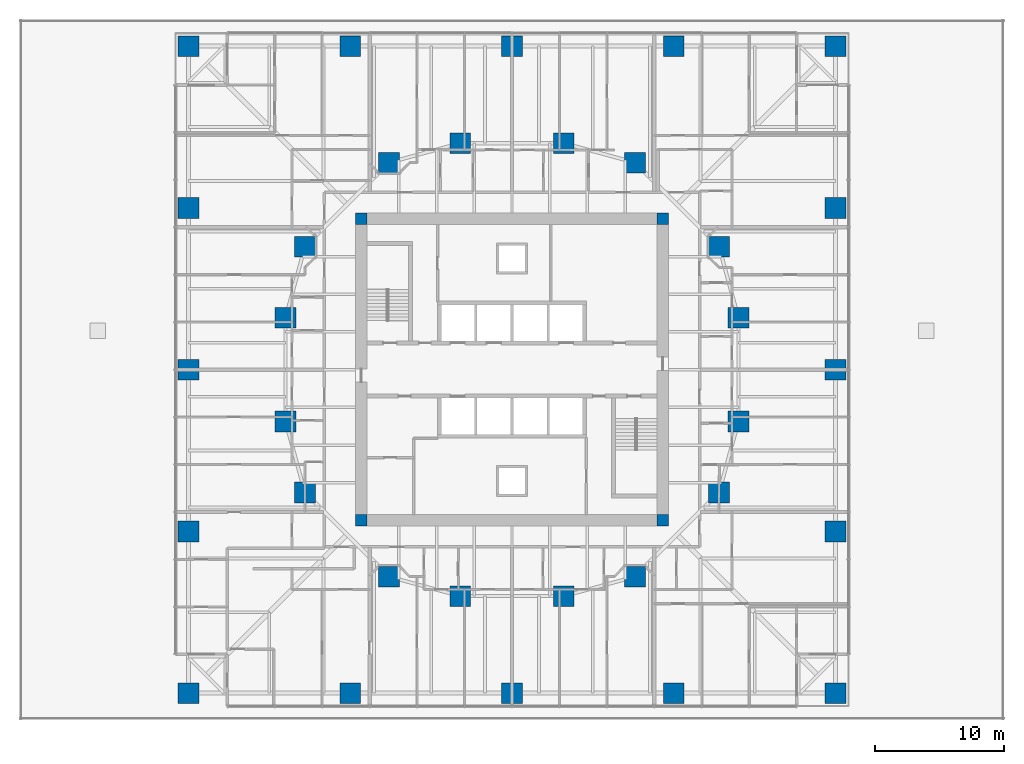
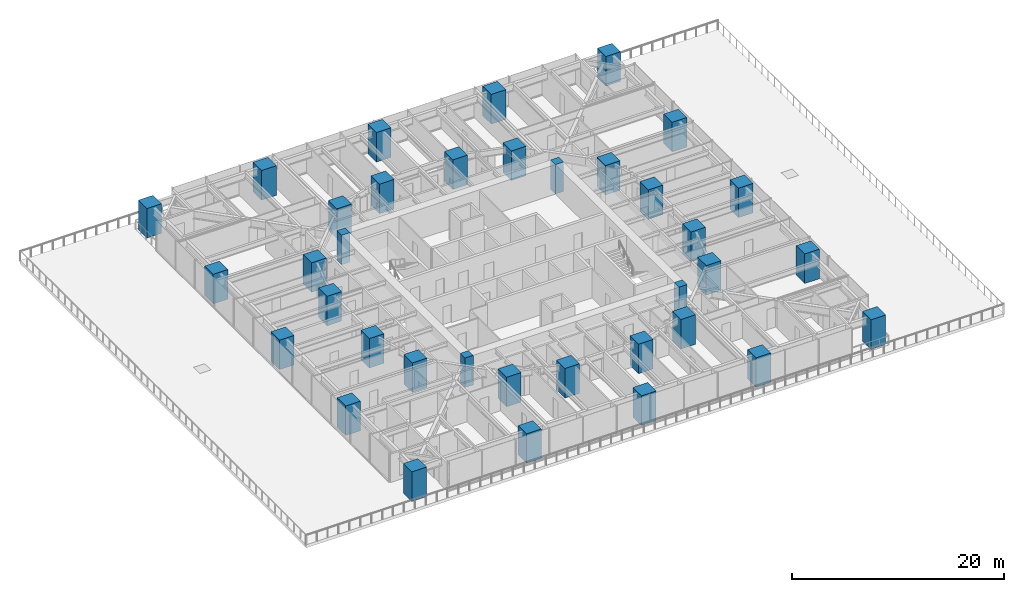
# One storey, part 1 of 15: 36 columns.
"""IFC4 building model written with IfcOpenShell, lengths in metres."""

from ifc_helpers import new_model, si_unit, direction, frame, origin, origin_2d, place, context, subcontext, project, spatial, rectangle, extrude, material, material_profile, profile_set, type_object, element, save


model = new_model("IFC4")

# Units and contexts
model_context = context("Model", 3, precision=1e-05, world=origin(), true_north=direction((0.0, 1.0)))
body_context = subcontext(model_context, "Body", "Model", "MODEL_VIEW")
ifc_project = project(units=[si_unit("LENGTHUNIT", "METRE"), si_unit("AREAUNIT", "SQUARE_METRE"), si_unit("VOLUMEUNIT", "CUBIC_METRE"), si_unit("PLANEANGLEUNIT", "RADIAN"), si_unit("MASSUNIT", "GRAM", prefix="KILO")], contexts=[model_context])

# Site, building, storey
site_placement = place(None, origin())
site = spatial("IfcSite", under=ifc_project, at=site_placement, CompositionType="ELEMENT")
building_placement = place(site_placement, origin())
building = spatial("IfcBuilding", under=site, at=building_placement, Name="Torsade Residences", CompositionType="ELEMENT")
storey_placement = place(building_placement, frame((0.0, 0.0, 15.0)))
storey = spatial("IfcBuildingStorey", under=building, at=storey_placement, Name="L03", CompositionType="ELEMENT", Elevation=15.0)

# Columns
ifc_material_1 = material(Name="Concrete 80 MPa", Category="concrete")
ifc_material_profile_1 = material_profile(ifc_material_1, rectangle(XDim=0.89990234375, YDim=0.89990234375, at=origin_2d()), Name="RC 900x900")
ifc_profile_set_1 = profile_set([ifc_material_profile_1], Name="Concrete 80 MPa")
column_type_1 = type_object("IfcColumnType", Name="CORE CORNER COLUMN RC 900x900", PredefinedType="COLUMN", material=ifc_profile_set_1)
for number, where, z_axis, x_axis, name in (
    (1, (28.35009765625, 18.35009765625, 0.0), (0.0, 0.0, 1.0), (1.0, 0.0, 0.0), "Core corner column CC1 L03"),
    (2, (51.64990234375, 18.35009765625, 0.0), (0.0, 0.0, 1.0), (1.0, 0.0, 0.0), "Core corner column CC2 L03"),
    (3, (51.64990234375, 41.64990234375, 0.0), (0.0, 0.0, 1.0), (1.0, 0.0, 0.0), "Core corner column CC3 L03"),
    (4, (28.35009765625, 41.64990234375, 0.0), (0.0, 0.0, 1.0), (1.0, 0.0, 0.0), "Core corner column CC4 L03"),
):
    element("IfcColumn", number, at=place(storey_placement, frame(where, z_axis=z_axis, x_axis=x_axis)), inside=storey, type_object=column_type_1, Name=name, PredefinedType="COLUMN", context=body_context, shape_type="SweptSolid", body=[
        extrude(rectangle(XDim=0.89990234375, YDim=0.89990234375, at=origin_2d()), origin(), (0.0, 0.0, 1.0), 3.39990234375),
    ])
ifc_material_2 = material(Name="Concrete 80 MPa", Category="concrete")
ifc_material_profile_2 = material_profile(ifc_material_2, rectangle(XDim=1.60009765625, YDim=1.60009765625, at=origin_2d()), Name="RC 1600x1600")
ifc_profile_set_2 = profile_set([ifc_material_profile_2], Name="Concrete 80 MPa")
column_type_2 = type_object("IfcColumnType", Name="INNER RING COLUMN RC 1600x1600", PredefinedType="COLUMN", material=ifc_profile_set_2)
for number, where, z_axis, x_axis, name in (
    (5, (57.5, 26.0, 0.0), (0.0, 0.0, 1.0), (1.0, 0.0, 0.0), "Inner ring column IR01 L03"),
    (6, (57.5, 34.0, 0.0), (0.0, 0.0, 1.0), (1.0, 0.0, 0.0), "Inner ring column IR02 L03"),
    (7, (56.0, 39.5, 0.0), (0.0, 0.0, 1.0), (1.0, 0.0, 0.0), "Inner ring column IR03 L03"),
    (8, (49.5, 46.0, 0.0), (0.0, 0.0, 1.0), (1.0, 0.0, 0.0), "Inner ring column IR04 L03"),
    (9, (44.0, 47.5, 0.0), (0.0, 0.0, 1.0), (1.0, 0.0, 0.0), "Inner ring column IR05 L03"),
    (10, (36.0, 47.5, 0.0), (0.0, 0.0, 1.0), (1.0, 0.0, 0.0), "Inner ring column IR06 L03"),
    (11, (30.5, 46.0, 0.0), (0.0, 0.0, 1.0), (1.0, 0.0, 0.0), "Inner ring column IR07 L03"),
    (12, (24.0, 39.5, 0.0), (0.0, 0.0, 1.0), (1.0, 0.0, 0.0), "Inner ring column IR08 L03"),
    (13, (22.5, 34.0, 0.0), (0.0, 0.0, 1.0), (1.0, 0.0, 0.0), "Inner ring column IR09 L03"),
    (14, (22.5, 26.0, 0.0), (0.0, 0.0, 1.0), (1.0, 0.0, 0.0), "Inner ring column IR10 L03"),
    (15, (24.0, 20.5, 0.0), (0.0, 0.0, 1.0), (1.0, 0.0, 0.0), "Inner ring column IR11 L03"),
    (16, (30.5, 14.0, 0.0), (0.0, 0.0, 1.0), (1.0, 0.0, 0.0), "Inner ring column IR12 L03"),
    (17, (36.0, 12.5, 0.0), (0.0, 0.0, 1.0), (1.0, 0.0, 0.0), "Inner ring column IR13 L03"),
    (18, (44.0, 12.5, 0.0), (0.0, 0.0, 1.0), (1.0, 0.0, 0.0), "Inner ring column IR14 L03"),
    (19, (49.5, 14.0, 0.0), (0.0, 0.0, 1.0), (1.0, 0.0, 0.0), "Inner ring column IR15 L03"),
    (20, (56.0, 20.5, 0.0), (0.0, 0.0, 1.0), (1.0, 0.0, 0.0), "Inner ring column IR16 L03"),
):
    element("IfcColumn", number, at=place(storey_placement, frame(where, z_axis=z_axis, x_axis=x_axis)), inside=storey, type_object=column_type_2, Name=name, PredefinedType="COLUMN", context=body_context, shape_type="SweptSolid", body=[
        extrude(rectangle(XDim=1.60009765625, YDim=1.60009765625, at=origin_2d()), origin(), (0.0, 0.0, 1.0), 3.39990234375),
    ])
ifc_material_3 = material(Name="Concrete 80 MPa", Category="concrete")
ifc_material_profile_3 = material_profile(ifc_material_3, rectangle(XDim=1.60009765625, YDim=1.60009765625, at=origin_2d()), Name="RC 1600x1600")
ifc_profile_set_3 = profile_set([ifc_material_profile_3], Name="Concrete 80 MPa")
column_type_3 = type_object("IfcColumnType", Name="TOWER COLUMN RC 1600x1600", PredefinedType="COLUMN", material=ifc_profile_set_3)
for number, where, z_axis, x_axis, name in (
    (21, (15.0, 5.0, 0.0), (0.0, 0.0, 1.0), (1.0, 0.0, 0.0), "Column TC1-01 L03"),
    (22, (27.5, 5.0, 0.0), (0.0, 0.0, 1.0), (1.0, 0.0, 0.0), "Column TC1-02 L03"),
    (23, (40.0, 5.0, 0.0), (0.0, 0.0, 1.0), (1.0, 0.0, 0.0), "Column TC1-03 L03"),
    (24, (52.5, 5.0, 0.0), (0.0, 0.0, 1.0), (1.0, 0.0, 0.0), "Column TC1-04 L03"),
    (25, (65.0, 5.0, 0.0), (0.0, 0.0, 1.0), (1.0, 0.0, 0.0), "Column TC1-05 L03"),
    (26, (65.0, 17.5, 0.0), (0.0, 0.0, 1.0), (1.0, 0.0, 0.0), "Column TC1-06 L03"),
    (27, (65.0, 30.0, 0.0), (0.0, 0.0, 1.0), (1.0, 0.0, 0.0), "Column TC1-07 L03"),
    (28, (65.0, 42.5, 0.0), (0.0, 0.0, 1.0), (1.0, 0.0, 0.0), "Column TC1-08 L03"),
    (29, (65.0, 55.0, 0.0), (0.0, 0.0, 1.0), (1.0, 0.0, 0.0), "Column TC1-09 L03"),
    (30, (52.5, 55.0, 0.0), (0.0, 0.0, 1.0), (1.0, 0.0, 0.0), "Column TC1-10 L03"),
    (31, (40.0, 55.0, 0.0), (0.0, 0.0, 1.0), (1.0, 0.0, 0.0), "Column TC1-11 L03"),
    (32, (27.5, 55.0, 0.0), (0.0, 0.0, 1.0), (1.0, 0.0, 0.0), "Column TC1-12 L03"),
    (33, (15.0, 55.0, 0.0), (0.0, 0.0, 1.0), (1.0, 0.0, 0.0), "Column TC1-13 L03"),
    (34, (15.0, 42.5, 0.0), (0.0, 0.0, 1.0), (1.0, 0.0, 0.0), "Column TC1-14 L03"),
    (35, (15.0, 30.0, 0.0), (0.0, 0.0, 1.0), (1.0, 0.0, 0.0), "Column TC1-15 L03"),
    (36, (15.0, 17.5, 0.0), (0.0, 0.0, 1.0), (1.0, 0.0, 0.0), "Column TC1-16 L03"),
):
    element("IfcColumn", number, at=place(storey_placement, frame(where, z_axis=z_axis, x_axis=x_axis)), inside=storey, type_object=column_type_3, Name=name, PredefinedType="COLUMN", context=body_context, shape_type="SweptSolid", body=[
        extrude(rectangle(XDim=1.60009765625, YDim=1.60009765625, at=origin_2d()), origin(), (0.0, 0.0, 1.0), 3.39990234375),
    ])

save(model, "model.ifc")
